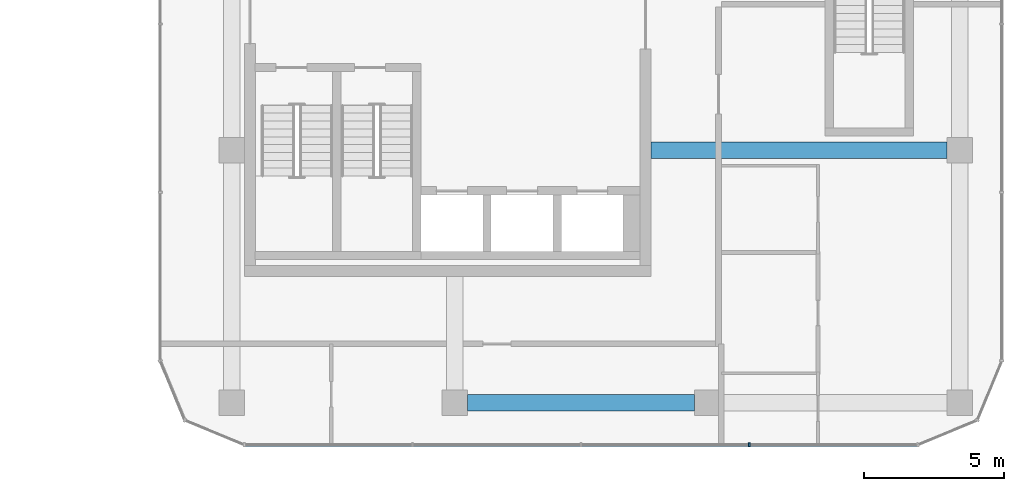
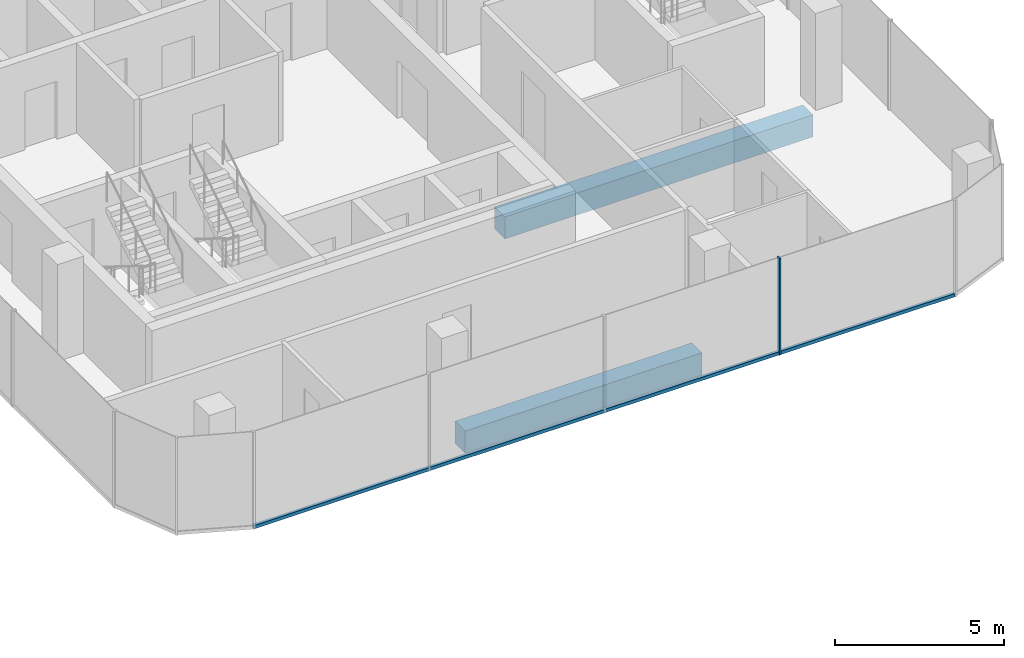
# One storey, part 8 of 22: 2 beams, 2 members, 1 element without a shape of its own.
"""IFC4 building model written with IfcOpenShell, lengths in metres."""

from ifc_helpers import new_model, si_unit, direction, frame, origin, origin_2d, place, context, subcontext, project, spatial, rectangle, extrude, material, layer, layer_set, material_profile, profile_set, type_object, element, aggregate, save


model = new_model("IFC4")

# Units and contexts
model_context = context("Model", 3, precision=1e-05, world=origin(), true_north=direction((0.0, 1.0)))
body_context = subcontext(model_context, "Body", "Model", "MODEL_VIEW")
ifc_project = project(units=[si_unit("LENGTHUNIT", "METRE"), si_unit("AREAUNIT", "SQUARE_METRE"), si_unit("VOLUMEUNIT", "CUBIC_METRE"), si_unit("PLANEANGLEUNIT", "RADIAN"), si_unit("MASSUNIT", "GRAM", prefix="KILO")], contexts=[model_context])

# Site, building, storey
site_placement = place(None, origin())
site = spatial("IfcSite", under=ifc_project, at=site_placement, CompositionType="ELEMENT")
building_placement = place(site_placement, origin())
building = spatial("IfcBuilding", under=site, at=building_placement, Name="Plateau Cross Towers", CompositionType="ELEMENT")
storey_placement = place(building_placement, frame((0.0, 0.0, 102.800048828125)))
storey = spatial("IfcBuildingStorey", under=building, at=storey_placement, Name="L26", CompositionType="ELEMENT", Elevation=102.800048828125)

# Beam
ifc_material_1 = material(Name="Concrete C60/75", Category="concrete")
ifc_material_profile_1 = material_profile(ifc_material_1, rectangle(XDim=0.60009765625, YDim=0.800048828125, at=origin_2d()), Name="RC 600x800")
ifc_profile_set_1 = profile_set([ifc_material_profile_1], Name="Concrete C60/75")
beam_type_1 = type_object("IfcBeamType", Name="Core beam RC 600x800", PredefinedType="BEAM", material=ifc_profile_set_1)
beam_1_placement = place(storey_placement, frame((89.5, 4.5, -0.650146484375), z_axis=(1.0, 0.0, 0.0), x_axis=(0.0, 1.0, 0.0)))
element("IfcBeam", 1, at=beam_1_placement, inside=storey, type_object=beam_type_1, Name="B-CB02@L26", PredefinedType="BEAM", context=body_context, shape_type="SweptSolid", body=[
    extrude(rectangle(XDim=0.60009765625, YDim=0.800048828125, at=origin_2d()), origin(), (0.0, 0.0, 1.0), 10.550048828125),
])

# Curtain wall, member
ifc_material_2 = material(Name="Dark low-iron glass", Category="glass")
ifc_layer = layer(ifc_material_2, 0.239990234375)
ifc_layer_set = layer_set([ifc_layer], Name="Dark low-iron glass")
curtain_wall_type = type_object("IfcCurtainWallType", Name="Curtain wall office unitised CW-F", PredefinedType="NOTDEFINED", material=ifc_layer_set)
curtain_wall_placement = place(storey_placement, origin())
curtain_wall = element("IfcCurtainWall", 2, at=curtain_wall_placement, inside=storey, type_object=curtain_wall_type, Name="ENV/B/L26/B750_-60", PredefinedType="NOTDEFINED")
ifc_material_3 = material(Name="Black anodised aluminium", Category="aluminium")
ifc_material_profile_2 = material_profile(ifc_material_3, rectangle(XDim=0.06005859375, YDim=0.139892578125, at=origin_2d()), Name="MULLION 60x140")
ifc_profile_set_2 = profile_set([ifc_material_profile_2], Name="Black anodised aluminium")
member_type_1 = type_object("IfcMemberType", Name="Mullion 60x140 office unitised", PredefinedType="MULLION", material=ifc_profile_set_2)
member_1_placement = place(storey_placement, frame((93.0, -6.0, -0.25), z_axis=(0.0, 0.0, 1.0), x_axis=(1.0, 0.0, 0.0)))
member_1 = element("IfcMember", 3, at=member_1_placement, type_object=member_type_1, Name="CW-F mullion 4", PredefinedType="MULLION", context=body_context, shape_type="SweptSolid", body=[
    extrude(rectangle(XDim=0.06005859375, YDim=0.139892578125, at=origin_2d()), origin(), (0.0, 0.0, 1.0), 3.5),
])

# Beam
ifc_material_profile_3 = material_profile(ifc_material_1, rectangle(XDim=0.60009765625, YDim=0.800048828125, at=origin_2d()), Name="RC 600x800")
ifc_profile_set_3 = profile_set([ifc_material_profile_3], Name="Concrete C60/75")
beam_type_2 = type_object("IfcBeamType", Name="Ring beam RC 600x800", PredefinedType="BEAM", material=ifc_profile_set_3)
beam_2_placement = place(storey_placement, frame((82.949951171875, -4.5, -0.650146484375), z_axis=(1.0, 0.0, 0.0), x_axis=(0.0, 1.0, 0.0)))
element("IfcBeam", 4, at=beam_2_placement, inside=storey, type_object=beam_type_2, Name="B-RB01@L26", PredefinedType="BEAM", context=body_context, shape_type="SweptSolid", body=[
    extrude(rectangle(XDim=0.60009765625, YDim=0.800048828125, at=origin_2d()), origin(), (0.0, 0.0, 1.0), 8.10009765625),
])

# Member
ifc_material_profile_4 = material_profile(ifc_material_3, rectangle(XDim=0.10009765625, YDim=0.1201171875, at=origin_2d()), Name="TRANSOM 100x120")
ifc_profile_set_4 = profile_set([ifc_material_profile_4], Name="Black anodised aluminium")
member_type_2 = type_object("IfcMemberType", Name="Transom 100x120 office unitised", PredefinedType="USERDEFINED", material=ifc_profile_set_4)
member_2_placement = place(storey_placement, frame((75.0, -6.0, -0.18994140625), z_axis=(1.0, 0.0, 0.0), x_axis=(0.0, 1.0, 0.0)))
member_2 = element("IfcMember", 5, at=member_2_placement, type_object=member_type_2, Name="CW-F transom", ObjectType="TRANSOM", PredefinedType="USERDEFINED", context=body_context, shape_type="SweptSolid", body=[
    extrude(rectangle(XDim=0.10009765625, YDim=0.1201171875, at=origin_2d()), origin(), (0.0, 0.0, 1.0), 24.0),
])

aggregate(curtain_wall, [member_1, member_2])

save(model, "model.ifc")
